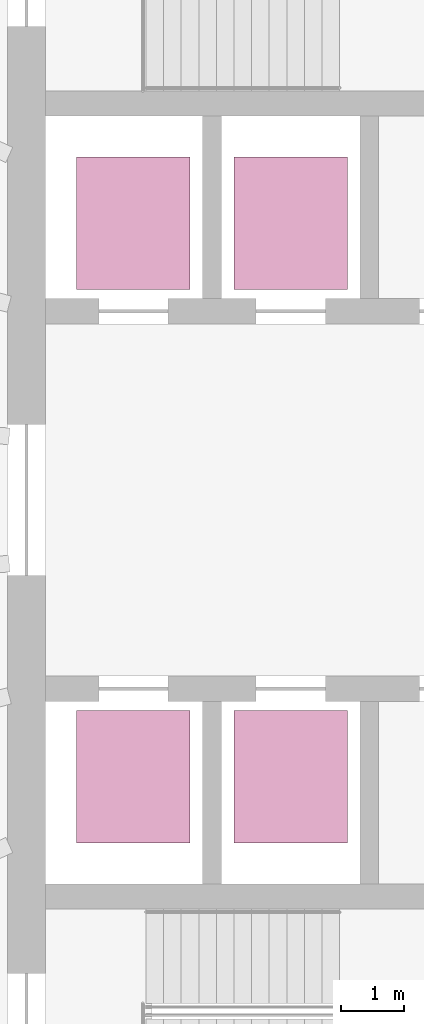
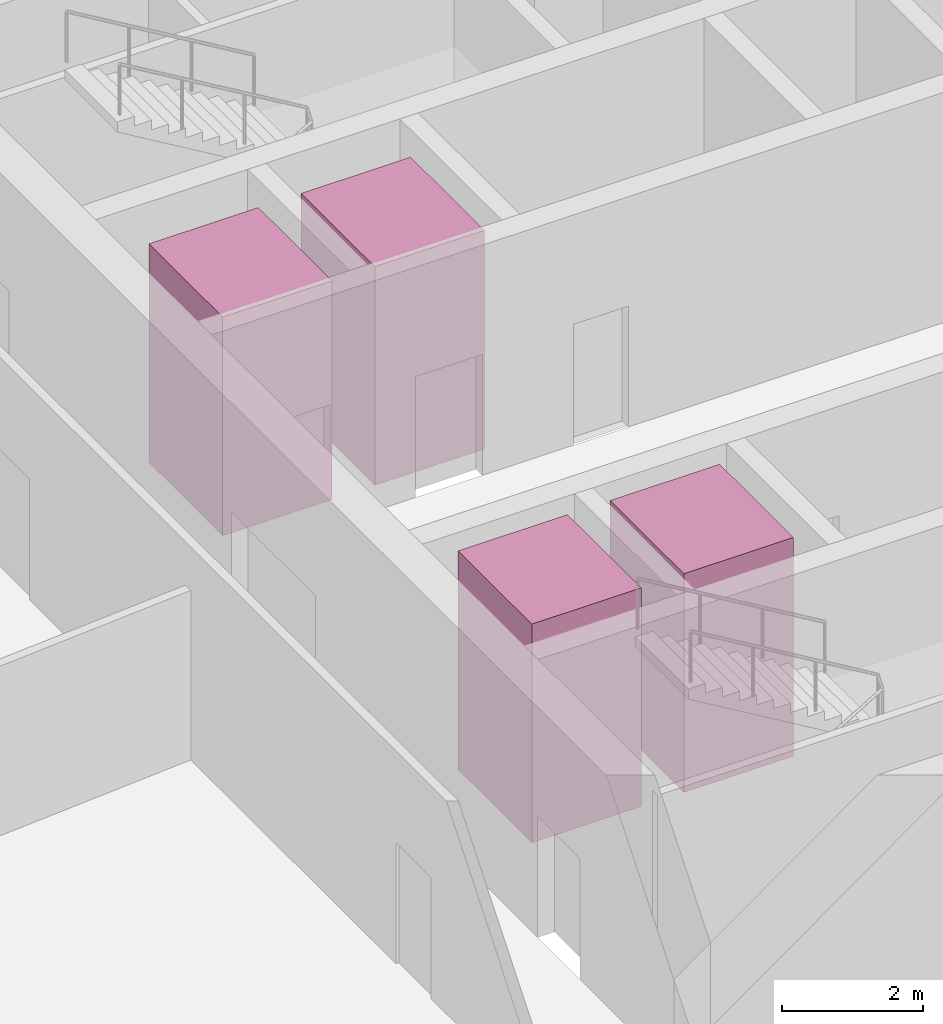
# One storey, part 10 of 10: 4 transport elements.
"""IFC4 building model written with IfcOpenShell, lengths in metres."""

from ifc_helpers import new_model, si_unit, direction, frame, origin, origin_2d, place, context, subcontext, project, spatial, rectangle, extrude, material, type_object, element, save


model = new_model("IFC4")

# Units and contexts
model_context = context("Model", 3, precision=1e-05, world=origin(), true_north=direction((0.0, 1.0)))
body_context = subcontext(model_context, "Body", "Model", "MODEL_VIEW")
ifc_project = project(units=[si_unit("LENGTHUNIT", "METRE"), si_unit("AREAUNIT", "SQUARE_METRE"), si_unit("VOLUMEUNIT", "CUBIC_METRE"), si_unit("PLANEANGLEUNIT", "RADIAN"), si_unit("MASSUNIT", "GRAM", prefix="KILO")], contexts=[model_context])

# Site, building, storey
site_placement = place(None, origin())
site = spatial("IfcSite", under=ifc_project, at=site_placement, CompositionType="ELEMENT")
building_placement = place(site_placement, origin())
building = spatial("IfcBuilding", under=site, at=building_placement, Name="Halqa Exchange Tower", CompositionType="ELEMENT")
storey_placement = place(building_placement, frame((0.0, 0.0, 292.300048828125)))
storey = spatial("IfcBuildingStorey", under=building, at=storey_placement, Name="L68", CompositionType="ELEMENT", Elevation=292.300048828125)

# Transport elements
ifc_material = material(Name="Stainless steel", Category="steel")
transport_element_type = type_object("IfcTransportElementType", Name="High-rise passenger lift 1800 x 2100", PredefinedType="ELEVATOR", material=ifc_material)
for number, where, z_axis, x_axis, name in (
    (1, (-10.0, 4.39990234375, 0.0), (0.0, 0.0, 1.0), (1.0, 0.0, 0.0), "High-rise passenger lift HR1"),
    (2, (-7.5, 4.39990234375, 0.0), (0.0, 0.0, 1.0), (1.0, 0.0, 0.0), "High-rise passenger lift HR2"),
    (3, (-10.0, -4.39990234375, 0.0), (0.0, 0.0, 1.0), (1.0, 0.0, 0.0), "High-rise passenger lift HR3"),
    (4, (-7.5, -4.39990234375, 0.0), (0.0, 0.0, 1.0), (1.0, 0.0, 0.0), "High-rise passenger lift HR4"),
):
    element("IfcTransportElement", number, at=place(storey_placement, frame(where, z_axis=z_axis, x_axis=x_axis)), inside=storey, type_object=transport_element_type, Name=name, PredefinedType="ELEVATOR", context=body_context, shape_type="SweptSolid", body=[
        extrude(rectangle(XDim=1.800048828125, YDim=2.10009765625, at=origin_2d()), origin(), (0.0, 0.0, 1.0), 3.800048828125),
    ])

save(model, "model.ifc")
